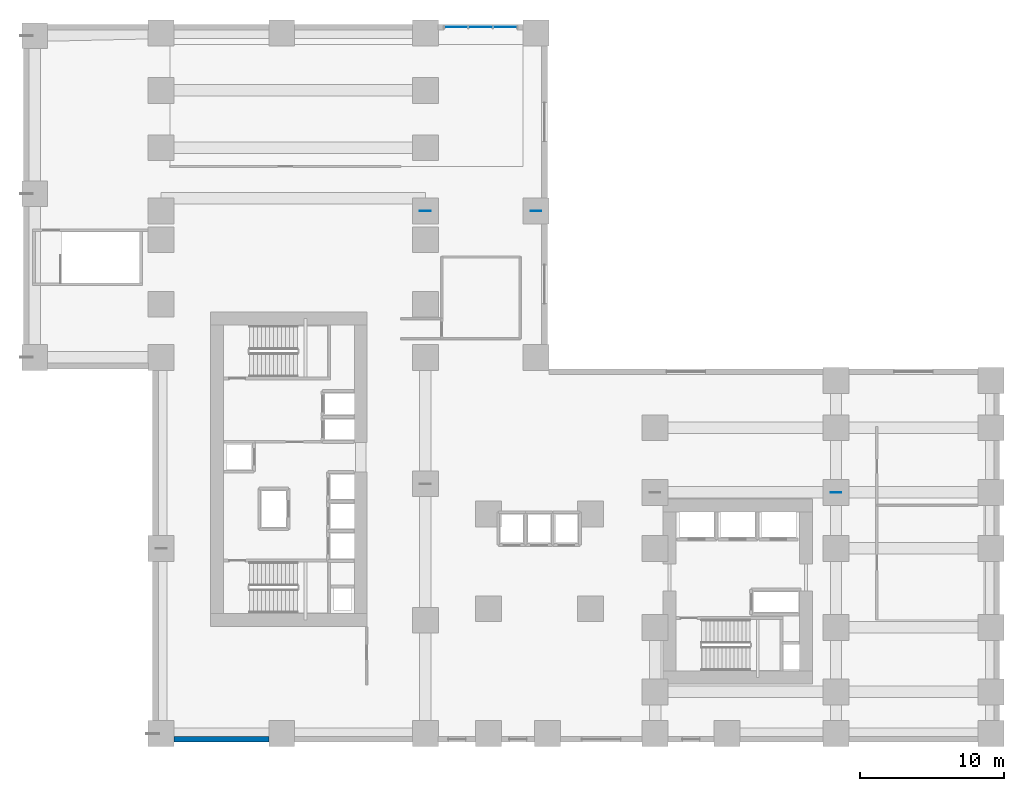
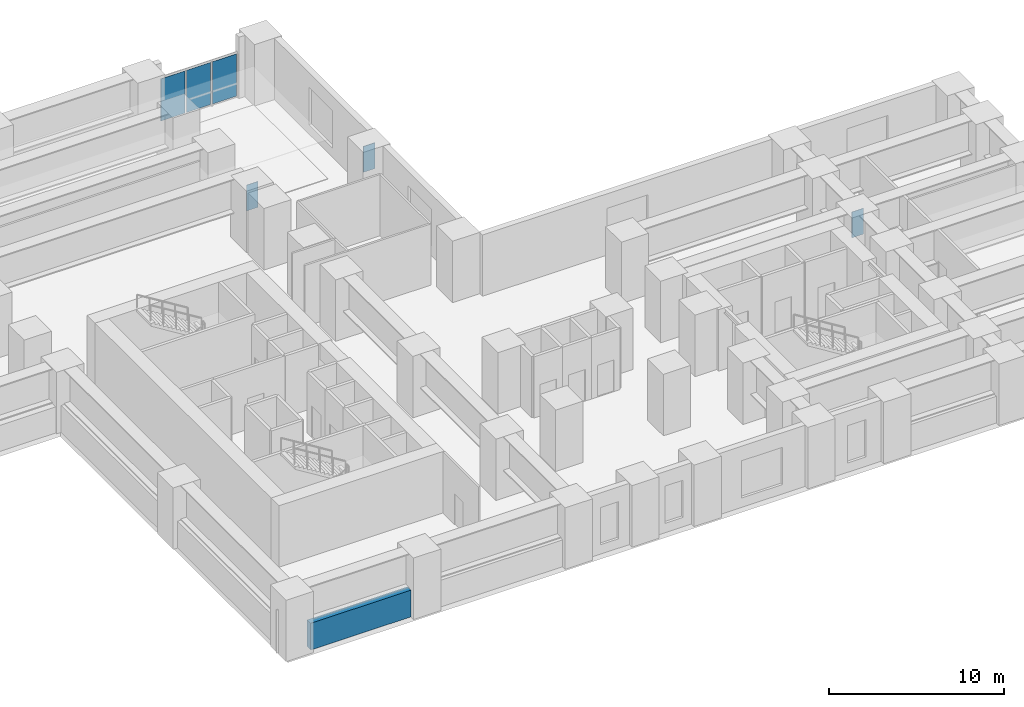
# One storey, part 5 of 12: 6 plates, 1 wall, 1 element without a shape of its own.
"""IFC4 building model written with IfcOpenShell, lengths in metres."""

from ifc_helpers import new_model, si_unit, direction, frame, frame_2d, origin, origin_2d, place, context, subcontext, project, spatial, rectangle, extrude, source, transform, mapped, material, layer, layer_set, type_object, element, aggregate, save


model = new_model("IFC4")

# Units and contexts
model_context = context("Model", 3, precision=1e-05, world=origin(), true_north=direction((0.0, 1.0)))
body_context = subcontext(model_context, "Body", "Model", "MODEL_VIEW")
ifc_project = project(units=[si_unit("LENGTHUNIT", "METRE"), si_unit("AREAUNIT", "SQUARE_METRE"), si_unit("VOLUMEUNIT", "CUBIC_METRE"), si_unit("PLANEANGLEUNIT", "RADIAN"), si_unit("MASSUNIT", "GRAM", prefix="KILO")], contexts=[model_context])

# Site, building, storey
site_placement = place(None, origin())
site = spatial("IfcSite", under=ifc_project, at=site_placement, CompositionType="ELEMENT")
building_placement = place(site_placement, origin())
building = spatial("IfcBuilding", under=site, at=building_placement, Name="Kharzan Plaza Tower", CompositionType="ELEMENT")
storey_placement = place(building_placement, frame((0.0, 0.0, 18.0)))
storey = spatial("IfcBuildingStorey", under=building, at=storey_placement, Name="L04", CompositionType="ELEMENT", Elevation=18.0)

# Curtain wall, plates
ifc_material_1 = material(Name="Unitised Bronze-Anodized Aluminium and Low-E Glass", Category="aluminium")
ifc_layer_1 = layer(ifc_material_1, 0.199951171875)
ifc_layer_set_1 = layer_set([ifc_layer_1], Name="Unitised Bronze-Anodized Aluminium and Low-E Glass")
curtain_wall_type = type_object("IfcCurtainWallType", Name="CW-PODIUM-1", PredefinedType="NOTDEFINED", material=ifc_layer_set_1)
curtain_wall_placement = place(storey_placement, origin())
curtain_wall = element("IfcCurtainWall", 1, at=curtain_wall_placement, inside=storey, type_object=curtain_wall_type, Name="L04 Podium North Gallery Curtain Wall", PredefinedType="NOTDEFINED")
ifc_material_2 = material(Name="Dark Solar-Control Double Glazing", Category="glass")
ifc_layer_2 = layer(ifc_material_2, 0.031982421875)
ifc_layer_set_2 = layer_set([ifc_layer_2], Name="Dark Solar-Control Double Glazing")
plate_type_1 = type_object("IfcPlateType", Name="PLT-CW-GLASS", PredefinedType="CURTAIN_PANEL", material=ifc_layer_set_2)
shared_shape_1 = source(origin(), body_context, "Body", "SweptSolid", [
    extrude(rectangle(XDim=1.580078125, YDim=0.031982421875, at=origin_2d()), origin(), (0.0, 0.0, 1.0), 2.93994140625),
])
plate_1_placement = place(storey_placement, frame((21.14990234375, 49.800048828125, 0.080078125), z_axis=(0.0, 0.0, 1.0), x_axis=(1.0, 0.0, 0.0)))
plate_1 = element("IfcPlate", 2, at=plate_1_placement, type_object=plate_type_1, Name="L04 Curtain-Wall Glazed Panel 00", PredefinedType="CURTAIN_PANEL", context=body_context, shape_type="MappedRepresentation", body=[
    mapped(shared_shape_1, transform((0.0, 0.0, 0.0), x_axis=(1.0, 0.0, 0.0), y_axis=(0.0, 1.0, 0.0), z_axis=(0.0, 0.0, 1.0))),
])
plate_2_placement = place(storey_placement, frame((22.85009765625, 49.800048828125, 0.080078125), z_axis=(0.0, 0.0, 1.0), x_axis=(1.0, 0.0, 0.0)))
plate_2 = element("IfcPlate", 3, at=plate_2_placement, type_object=plate_type_1, Name="L04 Curtain-Wall Glazed Panel 01", PredefinedType="CURTAIN_PANEL", context=body_context, shape_type="MappedRepresentation", body=[
    mapped(shared_shape_1, transform((0.0, 0.0, 0.0), x_axis=(1.0, 0.0, 0.0), y_axis=(0.0, 1.0, 0.0), z_axis=(0.0, 0.0, 1.0))),
])
plate_3_placement = place(storey_placement, frame((24.550048828125, 49.800048828125, 0.080078125), z_axis=(0.0, 0.0, 1.0), x_axis=(1.0, 0.0, 0.0)))
plate_3 = element("IfcPlate", 4, at=plate_3_placement, type_object=plate_type_1, Name="L04 Curtain-Wall Glazed Panel 02", PredefinedType="CURTAIN_PANEL", context=body_context, shape_type="MappedRepresentation", body=[
    mapped(shared_shape_1, transform((0.0, 0.0, 0.0), x_axis=(1.0, 0.0, 0.0), y_axis=(0.0, 1.0, 0.0), z_axis=(0.0, 0.0, 1.0))),
])
aggregate(curtain_wall, [plate_1, plate_2, plate_3])

# Plates
ifc_material_3 = material(Name="Steel S460", Category="steel")
ifc_layer_3 = layer(ifc_material_3, 0.034912109375)
ifc_layer_set_3 = layer_set([ifc_layer_3], Name="Steel S460")
plate_type_2 = type_object("IfcPlateType", Name="PLT-TGS1", PredefinedType="USERDEFINED", material=ifc_layer_set_3)
shared_shape_2 = source(origin(), body_context, "Body", "SweptSolid", [
    extrude(rectangle(XDim=0.75, YDim=0.034912109375, at=origin_2d()), origin(), (0.0, 0.0, 1.0), 1.800048828125),
])
for number, where, z_axis, x_axis, name in (
    (5, (19.0, 37.0, 2.18017578125), (0.0, 0.0, 1.0), (1.0, 0.0, 0.0), "L04 Transfer Girder Stiffener Plate TGS1-3"),
    (6, (47.60009765625, 17.39990234375, 2.18017578125), (0.0, 0.0, 1.0), (1.0, 0.0, 0.0), "L04 Transfer Girder Stiffener Plate TGS1-5"),
    (7, (26.699951171875, 37.0, 2.18017578125), (0.0, 0.0, 1.0), (1.0, 0.0, 0.0), "L04 Transfer Girder Stiffener Plate TGS1-6"),
):
    element("IfcPlate", number, at=place(storey_placement, frame(where, z_axis=z_axis, x_axis=x_axis)), inside=storey, type_object=plate_type_2, Name=name, ObjectType="FLANGE_PLATE", PredefinedType="USERDEFINED", context=body_context, shape_type="MappedRepresentation", body=[
        mapped(shared_shape_2, transform((0.0, 0.0, 0.0), x_axis=(1.0, 0.0, 0.0), y_axis=(0.0, 1.0, 0.0), z_axis=(0.0, 0.0, 1.0))),
    ])

# Wall
ifc_material_4 = material(Name="Concrete C40/50", Category="concrete")
ifc_layer_4 = layer(ifc_material_4, 0.39990234375)
ifc_layer_set_4 = layer_set([ifc_layer_4], Name="Concrete C40/50")
wall_type = type_object("IfcWallType", Name="WL-POD-MAS-400", PredefinedType="SOLIDWALL", material=ifc_layer_set_4)
shared_shape_3 = source(origin(), body_context, "Body", "SweptSolid", [
    extrude(rectangle(XDim=6.60400390625, YDim=0.39990234375, at=frame_2d((3.302001953125, 0.0))), origin(), (0.0, 0.0, 1.0), 1.864990234375),
])
wall_placement = place(storey_placement, frame((1.498046875, 0.199951171875, 0.0), z_axis=(0.0, 0.0, 1.0), x_axis=(1.0, 0.0, 0.0)))
element("IfcWall", 8, at=wall_placement, inside=storey, type_object=wall_type, Name="L04 Masonry-Frame Exterior Wall 15", PredefinedType="SOLIDWALL", context=body_context, shape_type="MappedRepresentation", body=[
    mapped(shared_shape_3, transform((0.0, 0.0, 0.0), x_axis=(1.0, 0.0, 0.0), y_axis=(0.0, 1.0, 0.0), z_axis=(0.0, 0.0, 1.0))),
])

save(model, "model.ifc")
